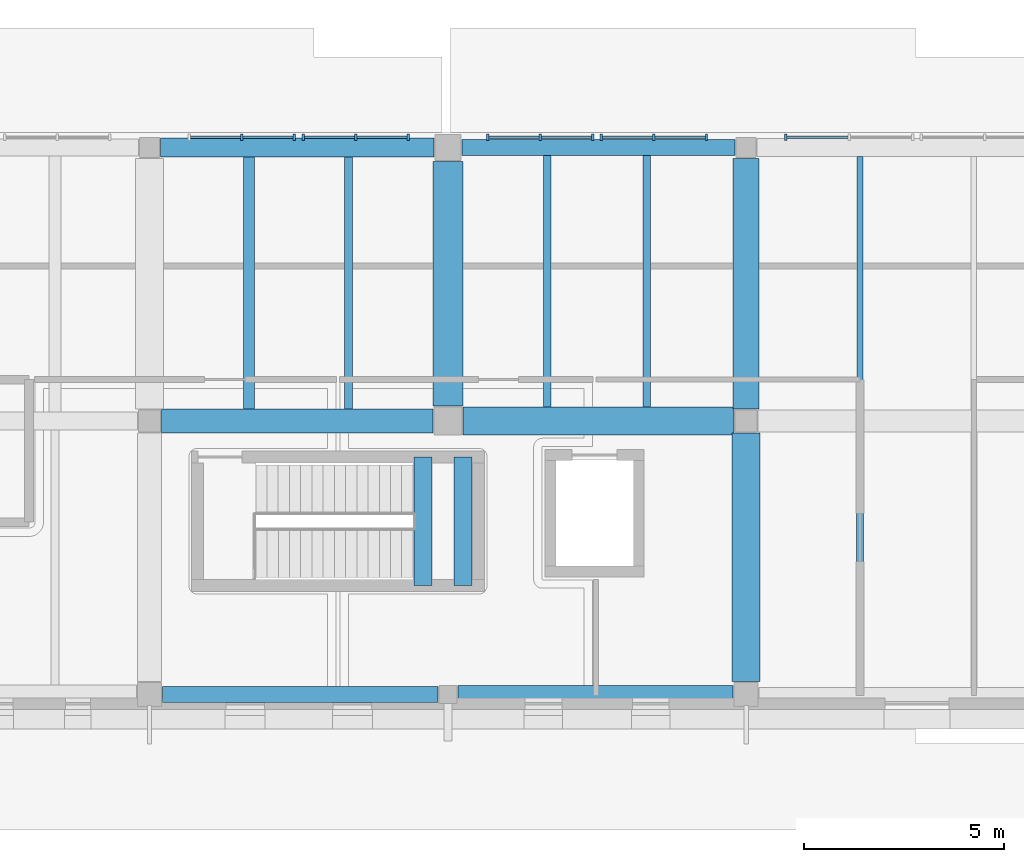
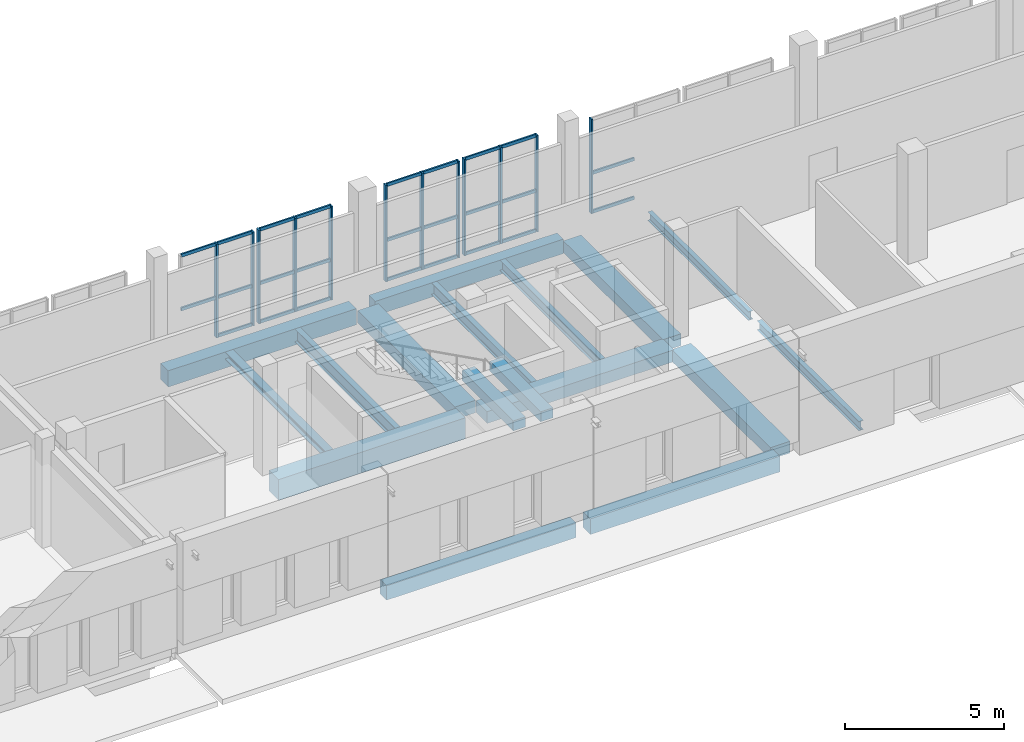
# One storey, part 17 of 77: 37 members, 17 beams, 5 elements without a shape of their own.
"""IFC4 building model written with IfcOpenShell, lengths in metres."""

from ifc_helpers import new_model, si_unit, direction, frame, origin, origin_2d, place, context, subcontext, project, spatial, rectangle, i_section, extrude, material, layer, layer_set, material_profile, profile_set, type_object, element, aggregate, save


model = new_model("IFC4")

# Units and contexts
model_context = context("Model", 3, precision=1e-05, world=origin(), true_north=direction((0.0, 1.0)))
body_context = subcontext(model_context, "Body", "Model", "MODEL_VIEW")
ifc_project = project(units=[si_unit("LENGTHUNIT", "METRE"), si_unit("AREAUNIT", "SQUARE_METRE"), si_unit("VOLUMEUNIT", "CUBIC_METRE"), si_unit("PLANEANGLEUNIT", "RADIAN"), si_unit("MASSUNIT", "GRAM", prefix="KILO")], contexts=[model_context])

# Site, building, storey
site_placement = place(None, origin())
site = spatial("IfcSite", under=ifc_project, at=site_placement, CompositionType="ELEMENT")
building_placement = place(site_placement, origin())
building = spatial("IfcBuilding", under=site, at=building_placement, Name="Vardoun Plaza Health Centre", CompositionType="ELEMENT")
storey_placement = place(building_placement, origin())
storey = spatial("IfcBuildingStorey", under=building, at=storey_placement, Name="L00", CompositionType="ELEMENT", Elevation=0.0)

# Beams
ifc_material_1 = material(Name="Concrete C35/45", Category="concrete")
ifc_material_profile_1 = material_profile(ifc_material_1, rectangle(XDim=0.39990234375, YDim=0.550048828125, at=origin_2d()), Name="RC-BM 400x550")
ifc_profile_set_1 = profile_set([ifc_material_profile_1], Name="Concrete C35/45")
beam_type_1 = type_object("IfcBeamType", Name="B-09", PredefinedType="SPANDREL", material=ifc_profile_set_1)
beam_1_placement = place(storey_placement, frame((113.425048828125, 4.8798828125, -0.570068359375), z_axis=(1.0, 0.0, 0.0), x_axis=(0.0, 1.0, 0.0)))
element("IfcBeam", 1, at=beam_1_placement, inside=storey, type_object=beam_type_1, Name="V5 L00 Beam B-V5-L00-X04", PredefinedType="SPANDREL", context=body_context, shape_type="SweptSolid", body=[
    extrude(rectangle(XDim=0.39990234375, YDim=0.550048828125, at=origin_2d()), origin(), (0.0, 0.0, 1.0), 6.864990234375),
])
beam_2_placement = place(storey_placement, frame((120.889892578125, 18.52001953125, -0.570068359375), z_axis=(1.0, 0.0, 0.0), x_axis=(0.0, 1.0, 0.0)))
element("IfcBeam", 2, at=beam_2_placement, inside=storey, type_object=beam_type_1, Name="V5 L00 Beam B-V5-L00-X09", PredefinedType="SPANDREL", context=body_context, shape_type="SweptSolid", body=[
    extrude(rectangle(XDim=0.39990234375, YDim=0.550048828125, at=origin_2d()), origin(), (0.0, 0.0, 1.0), 6.815185546875),
])
ifc_material_2 = material(Name="Concrete C35/45", Category="concrete")
ifc_material_profile_2 = material_profile(ifc_material_2, rectangle(XDim=0.449951171875, YDim=0.3798828125, at=origin_2d()), Name="RC-BM 450x380")
ifc_profile_set_2 = profile_set([ifc_material_profile_2], Name="Concrete C35/45")
beam_type_2 = type_object("IfcBeamType", Name="B-01", PredefinedType="BEAM", material=ifc_profile_set_2)
for number, where, z_axis, x_axis, name in (
    (3, (119.919921875, 7.60009765625, 1.860107421875), (0.0, 1.0, 0.0), (-1.0, 0.0, 0.0), "Stair ST-C8-L00 Landing Beam 1"),
    (4, (120.919921875, 7.60009765625, 1.860107421875), (0.0, 1.0, 0.0), (-1.0, 0.0, 0.0), "Stair ST-C8-L00 Landing Beam 2"),
):
    element("IfcBeam", number, at=place(storey_placement, frame(where, z_axis=z_axis, x_axis=x_axis)), inside=storey, type_object=beam_type_2, Name=name, PredefinedType="BEAM", context=body_context, shape_type="SweptSolid", body=[
        extrude(rectangle(XDim=0.449951171875, YDim=0.3798828125, at=origin_2d()), origin(), (0.0, 0.0, 1.0), 3.199951171875),
    ])
ifc_material_3 = material(Name="Concrete C35/45", Category="concrete")
ifc_material_profile_3 = material_profile(ifc_material_3, rectangle(XDim=0.449951171875, YDim=0.60009765625, at=origin_2d()), Name="RC-BM 450x600")
ifc_profile_set_3 = profile_set([ifc_material_profile_3], Name="Concrete C35/45")
beam_type_3 = type_object("IfcBeamType", Name="B-11", PredefinedType="SPANDREL", material=ifc_profile_set_3)
beam_3_placement = place(storey_placement, frame((120.7900390625, 4.8798828125, -0.594970703125), z_axis=(1.0, 0.0, 0.0), x_axis=(0.0, 1.0, 0.0)))
element("IfcBeam", 5, at=beam_3_placement, inside=storey, type_object=beam_type_3, Name="V5 L00 Beam B-V5-L00-X07", PredefinedType="SPANDREL", context=body_context, shape_type="SweptSolid", body=[
    extrude(rectangle(XDim=0.449951171875, YDim=0.60009765625, at=origin_2d()), origin(), (0.0, 0.0, 1.0), 6.864990234375),
])
ifc_material_4 = material(Name="Concrete C35/45", Category="concrete")
ifc_material_profile_4 = material_profile(ifc_material_4, rectangle(XDim=0.47998046875, YDim=0.6201171875, at=origin_2d()), Name="RC-BM 480x620")
ifc_profile_set_4 = profile_set([ifc_material_profile_4], Name="Concrete C35/45")
beam_type_4 = type_object("IfcBeamType", Name="B-12", PredefinedType="SPANDREL", material=ifc_profile_set_4)
beam_4_placement = place(storey_placement, frame((113.375, 18.52001953125, -0.60498046875), z_axis=(1.0, 0.0, 0.0), x_axis=(0.0, 1.0, 0.0)))
element("IfcBeam", 6, at=beam_4_placement, inside=storey, type_object=beam_type_4, Name="V5 L00 Beam B-V5-L00-X06", PredefinedType="SPANDREL", context=body_context, shape_type="SweptSolid", body=[
    extrude(rectangle(XDim=0.47998046875, YDim=0.6201171875, at=origin_2d()), origin(), (0.0, 0.0, 1.0), 6.815185546875),
])
ifc_material_5 = material(Name="Concrete C40/50", Category="concrete")
ifc_material_profile_5 = material_profile(ifc_material_5, rectangle(XDim=0.60009765625, YDim=0.800048828125, at=origin_2d()), Name="RC-BM 600x800")
ifc_profile_set_5 = profile_set([ifc_material_profile_5], Name="Concrete C40/50")
beam_type_5 = type_object("IfcBeamType", Name="B-15", PredefinedType="JOIST", material=ifc_profile_set_5)
beam_5_placement = place(storey_placement, frame((113.400146484375, 11.699951171875, -0.695068359375), z_axis=(1.0, 0.0, 0.0), x_axis=(0.0, 1.0, 0.0)))
element("IfcBeam", 7, at=beam_5_placement, inside=storey, type_object=beam_type_5, Name="V5 L00 Beam B-V5-L00-X05", PredefinedType="JOIST", context=body_context, shape_type="SweptSolid", body=[
    extrude(rectangle(XDim=0.60009765625, YDim=0.800048828125, at=origin_2d()), origin(), (0.0, 0.0, 1.0), 6.764892578125),
])
ifc_material_6 = material(Name="Concrete C35/45", Category="concrete")
ifc_material_profile_6 = material_profile(ifc_material_6, rectangle(XDim=0.64990234375, YDim=0.449951171875, at=origin_2d()), Name="RC-BM 650x450")
ifc_profile_set_6 = profile_set([ifc_material_profile_6], Name="Concrete C35/45")
beam_type_6 = type_object("IfcBeamType", Name="B-05", PredefinedType="BEAM", material=ifc_profile_set_6)
beam_6_placement = place(storey_placement, frame((127.97998046875, 12.0, -0.52001953125), z_axis=(0.0, 1.0, 0.0), x_axis=(-1.0, 0.0, 0.0)))
element("IfcBeam", 8, at=beam_6_placement, inside=storey, type_object=beam_type_6, Name="V5 L00 Beam B-V5-L00-Y31", PredefinedType="BEAM", context=body_context, shape_type="SweptSolid", body=[
    extrude(rectangle(XDim=0.64990234375, YDim=0.449951171875, at=origin_2d()), origin(), (0.0, 0.0, 1.0), 6.2451171875),
])
ifc_material_7 = material(Name="Concrete C35/45", Category="concrete")
ifc_material_profile_7 = material_profile(ifc_material_7, rectangle(XDim=0.699951171875, YDim=0.449951171875, at=origin_2d()), Name="RC-BM 700x450")
ifc_profile_set_7 = profile_set([ifc_material_profile_7], Name="Concrete C35/45")
beam_type_7 = type_object("IfcBeamType", Name="B-06", PredefinedType="BEAM", material=ifc_profile_set_7)
beam_7_placement = place(storey_placement, frame((120.9150390625, 11.699951171875, -0.52001953125), z_axis=(1.0, 0.0, 0.0), x_axis=(0.0, 1.0, 0.0)))
element("IfcBeam", 9, at=beam_7_placement, inside=storey, type_object=beam_type_7, Name="V5 L00 Beam B-V5-L00-X08", PredefinedType="BEAM", context=body_context, shape_type="SweptSolid", body=[
    extrude(rectangle(XDim=0.699951171875, YDim=0.449951171875, at=origin_2d()), origin(), (0.0, 0.0, 1.0), 6.764892578125),
])
beam_8_placement = place(storey_placement, frame((127.97998046875, 5.205078125, -0.52099609375), z_axis=(0.0, 1.0, 0.0), x_axis=(-1.0, 0.0, 0.0)))
element("IfcBeam", 10, at=beam_8_placement, inside=storey, type_object=beam_type_7, Name="V5 L00 Beam B-V5-L00-Y30", PredefinedType="BEAM", context=body_context, shape_type="SweptSolid", body=[
    extrude(rectangle(XDim=0.699951171875, YDim=0.449951171875, at=origin_2d()), origin(), (0.0, 0.0, 1.0), 6.19482421875),
])
ifc_material_8 = material(Name="Concrete C35/45", Category="concrete")
ifc_material_profile_8 = material_profile(ifc_material_8, rectangle(XDim=0.75, YDim=0.47998046875, at=origin_2d()), Name="RC-BM 750x480")
ifc_profile_set_8 = profile_set([ifc_material_profile_8], Name="Concrete C35/45")
beam_type_8 = type_object("IfcBeamType", Name="B-07", PredefinedType="BEAM", material=ifc_profile_set_8)
beam_9_placement = place(storey_placement, frame((120.5400390625, 12.074951171875, -0.534912109375), z_axis=(0.0, 1.0, 0.0), x_axis=(-1.0, 0.0, 0.0)))
element("IfcBeam", 11, at=beam_9_placement, inside=storey, type_object=beam_type_8, Name="V5 L00 Beam B-V5-L00-Y29", PredefinedType="BEAM", context=body_context, shape_type="SweptSolid", body=[
    extrude(rectangle(XDim=0.75, YDim=0.47998046875, at=origin_2d()), origin(), (0.0, 0.0, 1.0), 6.094970703125),
])
ifc_material_9 = material(Name="Steel S355J2", Category="steel")
ifc_material_profile_9 = material_profile(ifc_material_9, i_section(OverallWidth=0.280029296875, OverallDepth=0.280029296875, WebThickness=0.010498046875, FlangeThickness=0.01806640625, FilletRadius=0.02392578125, at=origin_2d()), Name="HEB 280")
ifc_profile_set_9 = profile_set([ifc_material_profile_9], Name="Steel S355J2")
beam_type_9 = type_object("IfcBeamType", Name="SB-02", PredefinedType="BEAM", material=ifc_profile_set_9)
beam_10_placement = place(storey_placement, frame((115.579833984375, 12.0, -0.43505859375), z_axis=(0.0, 1.0, 0.0), x_axis=(-1.0, 0.0, 0.0)))
element("IfcBeam", 12, at=beam_10_placement, inside=storey, type_object=beam_type_9, Name="V5 L00 Secondary Floor Beam SJ-V5-L00-05", PredefinedType="BEAM", context=body_context, shape_type="SweptSolid", body=[
    extrude(i_section(OverallWidth=0.280029296875, OverallDepth=0.280029296875, WebThickness=0.010498046875, FlangeThickness=0.01806640625, FilletRadius=0.02392578125, at=origin_2d()), origin(), (0.0, 0.0, 1.0), 6.280029296875),
])
ifc_material_10 = material(Name="Steel S355J2", Category="steel")
ifc_material_profile_10 = material_profile(ifc_material_10, i_section(OverallWidth=0.159912109375, OverallDepth=0.330078125, WebThickness=0.007568359375, FlangeThickness=0.011474609375, FilletRadius=0.01806640625, at=origin_2d()), Name="IPE 330")
ifc_profile_set_10 = profile_set([ifc_material_profile_10], Name="Steel S355J2")
beam_type_10 = type_object("IfcBeamType", Name="SB-14", PredefinedType="JOIST", material=ifc_profile_set_10)
beam_11_placement = place(storey_placement, frame((130.819580078125, 11.97509765625, -0.4599609375), z_axis=(0.0, 1.0, 0.0), x_axis=(-1.0, 0.0, 0.0)))
element("IfcBeam", 13, at=beam_11_placement, inside=storey, type_object=beam_type_10, Name="V5 L00 Secondary Floor Beam SJ-V5-L00-10", PredefinedType="JOIST", context=body_context, shape_type="SweptSolid", body=[
    extrude(i_section(OverallWidth=0.159912109375, OverallDepth=0.330078125, WebThickness=0.007568359375, FlangeThickness=0.011474609375, FilletRadius=0.01806640625, at=origin_2d()), origin(), (0.0, 0.0, 1.0), 6.31982421875),
])
ifc_material_11 = material(Name="Steel S355J2", Category="steel")
ifc_material_profile_11 = material_profile(ifc_material_11, i_section(OverallWidth=0.169921875, OverallDepth=0.360107421875, WebThickness=0.008056640625, FlangeThickness=0.0126953125, FilletRadius=0.01806640625, at=origin_2d()), Name="IPE 360")
ifc_profile_set_11 = profile_set([ifc_material_profile_11], Name="Steel S355J2")
beam_type_11 = type_object("IfcBeamType", Name="SB-13", PredefinedType="JOIST", material=ifc_profile_set_11)
beam_12_placement = place(storey_placement, frame((130.819580078125, 5.054931640625, -0.47509765625), z_axis=(0.0, 1.0, 0.0), x_axis=(-1.0, 0.0, 0.0)))
element("IfcBeam", 14, at=beam_12_placement, inside=storey, type_object=beam_type_11, Name="V5 L00 Secondary Floor Beam SJ-V5-L00-09", PredefinedType="JOIST", context=body_context, shape_type="SweptSolid", body=[
    extrude(i_section(OverallWidth=0.169921875, OverallDepth=0.360107421875, WebThickness=0.008056640625, FlangeThickness=0.0126953125, FilletRadius=0.01806640625, at=origin_2d()), origin(), (0.0, 0.0, 1.0), 6.3701171875),
])
ifc_material_12 = material(Name="Steel S355J2", Category="steel")
ifc_material_profile_12 = material_profile(ifc_material_12, i_section(OverallWidth=0.179931640625, OverallDepth=0.39990234375, WebThickness=0.008544921875, FlangeThickness=0.013427734375, FilletRadius=0.02099609375, at=origin_2d()), Name="IPE 400")
ifc_profile_set_12 = profile_set([ifc_material_profile_12], Name="Steel S355J2")
beam_type_12 = type_object("IfcBeamType", Name="SB-12", PredefinedType="BEAM", material=ifc_profile_set_12)
beam_13_placement = place(storey_placement, frame((125.500244140625, 12.050048828125, -0.4951171875), z_axis=(0.0, 1.0, 0.0), x_axis=(-1.0, 0.0, 0.0)))
element("IfcBeam", 15, at=beam_13_placement, inside=storey, type_object=beam_type_12, Name="V5 L00 Secondary Floor Beam SJ-V5-L00-08", PredefinedType="BEAM", context=body_context, shape_type="SweptSolid", body=[
    extrude(i_section(OverallWidth=0.179931640625, OverallDepth=0.39990234375, WebThickness=0.008544921875, FlangeThickness=0.013427734375, FilletRadius=0.02099609375, at=origin_2d()), origin(), (0.0, 0.0, 1.0), 6.27001953125),
])
ifc_material_13 = material(Name="Steel S355J2", Category="steel")
ifc_material_profile_13 = material_profile(ifc_material_13, i_section(OverallWidth=0.18994140625, OverallDepth=0.449951171875, WebThickness=0.009521484375, FlangeThickness=0.0146484375, FilletRadius=0.02099609375, at=origin_2d()), Name="IPE 450")
ifc_profile_set_13 = profile_set([ifc_material_profile_13], Name="Steel S355J2")
beam_type_13 = type_object("IfcBeamType", Name="SB-11", PredefinedType="BEAM", material=ifc_profile_set_13)
beam_14_placement = place(storey_placement, frame((123.019775390625, 12.050048828125, -0.52001953125), z_axis=(0.0, 1.0, 0.0), x_axis=(-1.0, 0.0, 0.0)))
element("IfcBeam", 16, at=beam_14_placement, inside=storey, type_object=beam_type_13, Name="V5 L00 Secondary Floor Beam SJ-V5-L00-07", PredefinedType="BEAM", context=body_context, shape_type="SweptSolid", body=[
    extrude(i_section(OverallWidth=0.18994140625, OverallDepth=0.449951171875, WebThickness=0.009521484375, FlangeThickness=0.0146484375, FilletRadius=0.02099609375, at=origin_2d()), origin(), (0.0, 0.0, 1.0), 6.27001953125),
])
ifc_material_14 = material(Name="Steel S355J2", Category="steel")
ifc_material_profile_14 = material_profile(ifc_material_14, i_section(OverallWidth=0.199951171875, OverallDepth=0.5, WebThickness=0.01025390625, FlangeThickness=0.01611328125, FilletRadius=0.02099609375, at=origin_2d()), Name="IPE 500")
ifc_profile_set_14 = profile_set([ifc_material_profile_14], Name="Steel S355J2")
beam_type_14 = type_object("IfcBeamType", Name="SB-10", PredefinedType="BEAM", material=ifc_profile_set_14)
beam_15_placement = place(storey_placement, frame((118.060302734375, 12.0, -0.544921875), z_axis=(0.0, 1.0, 0.0), x_axis=(-1.0, 0.0, 0.0)))
element("IfcBeam", 17, at=beam_15_placement, inside=storey, type_object=beam_type_14, Name="V5 L00 Secondary Floor Beam SJ-V5-L00-06", PredefinedType="BEAM", context=body_context, shape_type="SweptSolid", body=[
    extrude(i_section(OverallWidth=0.199951171875, OverallDepth=0.5, WebThickness=0.01025390625, FlangeThickness=0.01611328125, FilletRadius=0.02099609375, at=origin_2d()), origin(), (0.0, 0.0, 1.0), 6.280029296875),
])

# Curtain wall, members
ifc_material_15 = material(Name="Aluminium Alloy EN AW-6063-T6 and Low-E Glass", Category="aluminium")
ifc_layer = layer(ifc_material_15, 0.14990234375)
ifc_layer_set = layer_set([ifc_layer], Name="Aluminium Alloy EN AW-6063-T6 and Low-E Glass")
curtain_wall_type = type_object("IfcCurtainWallType", Name="CW-03", PredefinedType="NOTDEFINED", material=ifc_layer_set)
curtain_wall_1_placement = place(storey_placement, origin())
curtain_wall_1 = element("IfcCurtainWall", 18, at=curtain_wall_1_placement, inside=storey, type_object=curtain_wall_type, Name="Curtain Wall CW-V5-135", PredefinedType="NOTDEFINED")
ifc_material_16 = material(Name="Aluminium Alloy EN AW-6063-T6", Category="aluminium")
ifc_material_profile_15 = material_profile(ifc_material_16, rectangle(XDim=0.159912109375, YDim=0.06005859375, at=origin_2d()), Name="CWM 60x160")
ifc_profile_set_15 = profile_set([ifc_material_profile_15], Name="Aluminium Alloy EN AW-6063-T6")
member_type_1 = type_object("IfcMemberType", Name="CW-M1", PredefinedType="MULLION", material=ifc_profile_set_15)
member_1_placement = place(storey_placement, frame((115.400146484375, 18.780029296875, 0.0), z_axis=(0.0, 0.0, 1.0), x_axis=(0.0, 1.0, 0.0)))
member_1 = element("IfcMember", 19, at=member_1_placement, type_object=member_type_1, Name="CW-V5-135 mullion 2", PredefinedType="MULLION", context=body_context, shape_type="SweptSolid", body=[
    extrude(rectangle(XDim=0.159912109375, YDim=0.06005859375, at=origin_2d()), origin(), (0.0, 0.0, 1.0), 3.590087890625),
])
member_2_placement = place(storey_placement, frame((116.7099609375, 18.780029296875, 0.0), z_axis=(0.0, 0.0, 1.0), x_axis=(0.0, 1.0, 0.0)))
member_2 = element("IfcMember", 20, at=member_2_placement, type_object=member_type_1, Name="CW-V5-135 mullion 3", PredefinedType="MULLION", context=body_context, shape_type="SweptSolid", body=[
    extrude(rectangle(XDim=0.159912109375, YDim=0.06005859375, at=origin_2d()), origin(), (0.0, 0.0, 1.0), 3.590087890625),
])

curtain_wall_2_placement = place(storey_placement, origin())
curtain_wall_2 = element("IfcCurtainWall", 21, at=curtain_wall_2_placement, inside=storey, type_object=curtain_wall_type, Name="Curtain Wall CW-V5-136", PredefinedType="NOTDEFINED")
member_3_placement = place(storey_placement, frame((116.929931640625, 18.780029296875, 0.0), z_axis=(0.0, 0.0, 1.0), x_axis=(0.0, 1.0, 0.0)))
member_3 = element("IfcMember", 22, at=member_3_placement, type_object=member_type_1, Name="CW-V5-136 mullion 1", PredefinedType="MULLION", context=body_context, shape_type="SweptSolid", body=[
    extrude(rectangle(XDim=0.159912109375, YDim=0.06005859375, at=origin_2d()), origin(), (0.0, 0.0, 1.0), 3.590087890625),
])
member_4_placement = place(storey_placement, frame((118.239990234375, 18.780029296875, 0.0), z_axis=(0.0, 0.0, 1.0), x_axis=(0.0, 1.0, 0.0)))
member_4 = element("IfcMember", 23, at=member_4_placement, type_object=member_type_1, Name="CW-V5-136 mullion 2", PredefinedType="MULLION", context=body_context, shape_type="SweptSolid", body=[
    extrude(rectangle(XDim=0.159912109375, YDim=0.06005859375, at=origin_2d()), origin(), (0.0, 0.0, 1.0), 3.590087890625),
])
member_5_placement = place(storey_placement, frame((119.550048828125, 18.780029296875, 0.0), z_axis=(0.0, 0.0, 1.0), x_axis=(0.0, 1.0, 0.0)))
member_5 = element("IfcMember", 24, at=member_5_placement, type_object=member_type_1, Name="CW-V5-136 mullion 3", PredefinedType="MULLION", context=body_context, shape_type="SweptSolid", body=[
    extrude(rectangle(XDim=0.159912109375, YDim=0.06005859375, at=origin_2d()), origin(), (0.0, 0.0, 1.0), 3.590087890625),
])

curtain_wall_3_placement = place(storey_placement, origin())
curtain_wall_3 = element("IfcCurtainWall", 25, at=curtain_wall_3_placement, inside=storey, type_object=curtain_wall_type, Name="Curtain Wall CW-V5-137", PredefinedType="NOTDEFINED")
member_6_placement = place(storey_placement, frame((121.530029296875, 18.780029296875, 0.0), z_axis=(0.0, 0.0, 1.0), x_axis=(0.0, 1.0, 0.0)))
member_6 = element("IfcMember", 26, at=member_6_placement, type_object=member_type_1, Name="CW-V5-137 mullion 1", PredefinedType="MULLION", context=body_context, shape_type="SweptSolid", body=[
    extrude(rectangle(XDim=0.159912109375, YDim=0.06005859375, at=origin_2d()), origin(), (0.0, 0.0, 1.0), 3.68994140625),
])
member_7_placement = place(storey_placement, frame((122.840087890625, 18.780029296875, 0.0), z_axis=(0.0, 0.0, 1.0), x_axis=(0.0, 1.0, 0.0)))
member_7 = element("IfcMember", 27, at=member_7_placement, type_object=member_type_1, Name="CW-V5-137 mullion 2", PredefinedType="MULLION", context=body_context, shape_type="SweptSolid", body=[
    extrude(rectangle(XDim=0.159912109375, YDim=0.06005859375, at=origin_2d()), origin(), (0.0, 0.0, 1.0), 3.68994140625),
])
member_8_placement = place(storey_placement, frame((124.150146484375, 18.780029296875, 0.0), z_axis=(0.0, 0.0, 1.0), x_axis=(0.0, 1.0, 0.0)))
member_8 = element("IfcMember", 28, at=member_8_placement, type_object=member_type_1, Name="CW-V5-137 mullion 3", PredefinedType="MULLION", context=body_context, shape_type="SweptSolid", body=[
    extrude(rectangle(XDim=0.159912109375, YDim=0.06005859375, at=origin_2d()), origin(), (0.0, 0.0, 1.0), 3.68994140625),
])

curtain_wall_4_placement = place(storey_placement, origin())
curtain_wall_4 = element("IfcCurtainWall", 29, at=curtain_wall_4_placement, inside=storey, type_object=curtain_wall_type, Name="Curtain Wall CW-V5-138", PredefinedType="NOTDEFINED")
member_9_placement = place(storey_placement, frame((124.3701171875, 18.780029296875, 0.0), z_axis=(0.0, 0.0, 1.0), x_axis=(0.0, 1.0, 0.0)))
member_9 = element("IfcMember", 30, at=member_9_placement, type_object=member_type_1, Name="CW-V5-138 mullion 1", PredefinedType="MULLION", context=body_context, shape_type="SweptSolid", body=[
    extrude(rectangle(XDim=0.159912109375, YDim=0.06005859375, at=origin_2d()), origin(), (0.0, 0.0, 1.0), 3.68994140625),
])
member_10_placement = place(storey_placement, frame((125.679931640625, 18.780029296875, 0.0), z_axis=(0.0, 0.0, 1.0), x_axis=(0.0, 1.0, 0.0)))
member_10 = element("IfcMember", 31, at=member_10_placement, type_object=member_type_1, Name="CW-V5-138 mullion 2", PredefinedType="MULLION", context=body_context, shape_type="SweptSolid", body=[
    extrude(rectangle(XDim=0.159912109375, YDim=0.06005859375, at=origin_2d()), origin(), (0.0, 0.0, 1.0), 3.68994140625),
])
member_11_placement = place(storey_placement, frame((126.989990234375, 18.780029296875, 0.0), z_axis=(0.0, 0.0, 1.0), x_axis=(0.0, 1.0, 0.0)))
member_11 = element("IfcMember", 32, at=member_11_placement, type_object=member_type_1, Name="CW-V5-138 mullion 3", PredefinedType="MULLION", context=body_context, shape_type="SweptSolid", body=[
    extrude(rectangle(XDim=0.159912109375, YDim=0.06005859375, at=origin_2d()), origin(), (0.0, 0.0, 1.0), 3.68994140625),
])

# Curtain wall, member
curtain_wall_5_placement = place(storey_placement, origin())
curtain_wall_5 = element("IfcCurtainWall", 33, at=curtain_wall_5_placement, inside=storey, type_object=curtain_wall_type, Name="Curtain Wall CW-V5-139", PredefinedType="NOTDEFINED")
member_12_placement = place(storey_placement, frame((128.969970703125, 18.780029296875, 0.0), z_axis=(0.0, 0.0, 1.0), x_axis=(0.0, 1.0, 0.0)))
member_12 = element("IfcMember", 34, at=member_12_placement, type_object=member_type_1, Name="CW-V5-139 mullion 1", PredefinedType="MULLION", context=body_context, shape_type="SweptSolid", body=[
    extrude(rectangle(XDim=0.159912109375, YDim=0.06005859375, at=origin_2d()), origin(), (0.0, 0.0, 1.0), 3.610107421875),
])

# Member
ifc_material_17 = material(Name="Aluminium Alloy EN AW-6063-T6", Category="aluminium")
ifc_material_profile_16 = material_profile(ifc_material_17, rectangle(XDim=0.06005859375, YDim=0.1201171875, at=origin_2d()), Name="CWT 60x120")
ifc_profile_set_16 = profile_set([ifc_material_profile_16], Name="Aluminium Alloy EN AW-6063-T6")
member_type_2 = type_object("IfcMemberType", Name="CW-T1", PredefinedType="USERDEFINED", material=ifc_profile_set_16)
member_13_placement = place(storey_placement, frame((114.1201171875, 18.780029296875, 1.5078125), z_axis=(1.0, 0.0, 0.0), x_axis=(0.0, 1.0, 0.0)))
member_13 = element("IfcMember", 35, at=member_13_placement, type_object=member_type_2, Name="CW-V5-135 transom 1.2", ObjectType="TRANSOM", PredefinedType="USERDEFINED", context=body_context, shape_type="SweptSolid", body=[
    extrude(rectangle(XDim=0.06005859375, YDim=0.1201171875, at=origin_2d()), origin(), (0.0, 0.0, 1.0), 1.25),
])

member_14_placement = place(storey_placement, frame((114.1201171875, 18.780029296875, 3.56005859375), z_axis=(1.0, 0.0, 0.0), x_axis=(0.0, 1.0, 0.0)))
member_14 = element("IfcMember", 36, at=member_14_placement, type_object=member_type_2, Name="CW-V5-135 transom 1.3", ObjectType="TRANSOM", PredefinedType="USERDEFINED", context=body_context, shape_type="SweptSolid", body=[
    extrude(rectangle(XDim=0.06005859375, YDim=0.1201171875, at=origin_2d()), origin(), (0.0, 0.0, 1.0), 1.25),
])

member_15_placement = place(storey_placement, frame((115.429931640625, 18.780029296875, 0.030029296875), z_axis=(1.0, 0.0, 0.0), x_axis=(0.0, 1.0, 0.0)))
member_15 = element("IfcMember", 37, at=member_15_placement, type_object=member_type_2, Name="CW-V5-135 transom 2.1", ObjectType="TRANSOM", PredefinedType="USERDEFINED", context=body_context, shape_type="SweptSolid", body=[
    extrude(rectangle(XDim=0.06005859375, YDim=0.1201171875, at=origin_2d()), origin(), (0.0, 0.0, 1.0), 1.25),
])

member_16_placement = place(storey_placement, frame((115.429931640625, 18.780029296875, 1.5078125), z_axis=(1.0, 0.0, 0.0), x_axis=(0.0, 1.0, 0.0)))
member_16 = element("IfcMember", 38, at=member_16_placement, type_object=member_type_2, Name="CW-V5-135 transom 2.2", ObjectType="TRANSOM", PredefinedType="USERDEFINED", context=body_context, shape_type="SweptSolid", body=[
    extrude(rectangle(XDim=0.06005859375, YDim=0.1201171875, at=origin_2d()), origin(), (0.0, 0.0, 1.0), 1.25),
])

member_17_placement = place(storey_placement, frame((115.429931640625, 18.780029296875, 3.56005859375), z_axis=(1.0, 0.0, 0.0), x_axis=(0.0, 1.0, 0.0)))
member_17 = element("IfcMember", 39, at=member_17_placement, type_object=member_type_2, Name="CW-V5-135 transom 2.3", ObjectType="TRANSOM", PredefinedType="USERDEFINED", context=body_context, shape_type="SweptSolid", body=[
    extrude(rectangle(XDim=0.06005859375, YDim=0.1201171875, at=origin_2d()), origin(), (0.0, 0.0, 1.0), 1.25),
])

aggregate(curtain_wall_1, [member_1, member_2, member_13, member_14, member_15, member_16, member_17])

member_18_placement = place(storey_placement, frame((116.9599609375, 18.780029296875, 0.030029296875), z_axis=(1.0, 0.0, 0.0), x_axis=(0.0, 1.0, 0.0)))
member_18 = element("IfcMember", 40, at=member_18_placement, type_object=member_type_2, Name="CW-V5-136 transom 1.1", ObjectType="TRANSOM", PredefinedType="USERDEFINED", context=body_context, shape_type="SweptSolid", body=[
    extrude(rectangle(XDim=0.06005859375, YDim=0.1201171875, at=origin_2d()), origin(), (0.0, 0.0, 1.0), 1.25),
])

member_19_placement = place(storey_placement, frame((116.9599609375, 18.780029296875, 1.5078125), z_axis=(1.0, 0.0, 0.0), x_axis=(0.0, 1.0, 0.0)))
member_19 = element("IfcMember", 41, at=member_19_placement, type_object=member_type_2, Name="CW-V5-136 transom 1.2", ObjectType="TRANSOM", PredefinedType="USERDEFINED", context=body_context, shape_type="SweptSolid", body=[
    extrude(rectangle(XDim=0.06005859375, YDim=0.1201171875, at=origin_2d()), origin(), (0.0, 0.0, 1.0), 1.25),
])

member_20_placement = place(storey_placement, frame((116.9599609375, 18.780029296875, 3.56005859375), z_axis=(1.0, 0.0, 0.0), x_axis=(0.0, 1.0, 0.0)))
member_20 = element("IfcMember", 42, at=member_20_placement, type_object=member_type_2, Name="CW-V5-136 transom 1.3", ObjectType="TRANSOM", PredefinedType="USERDEFINED", context=body_context, shape_type="SweptSolid", body=[
    extrude(rectangle(XDim=0.06005859375, YDim=0.1201171875, at=origin_2d()), origin(), (0.0, 0.0, 1.0), 1.25),
])

member_21_placement = place(storey_placement, frame((118.27001953125, 18.780029296875, 0.030029296875), z_axis=(1.0, 0.0, 0.0), x_axis=(0.0, 1.0, 0.0)))
member_21 = element("IfcMember", 43, at=member_21_placement, type_object=member_type_2, Name="CW-V5-136 transom 2.1", ObjectType="TRANSOM", PredefinedType="USERDEFINED", context=body_context, shape_type="SweptSolid", body=[
    extrude(rectangle(XDim=0.06005859375, YDim=0.1201171875, at=origin_2d()), origin(), (0.0, 0.0, 1.0), 1.25),
])

member_22_placement = place(storey_placement, frame((118.27001953125, 18.780029296875, 1.5078125), z_axis=(1.0, 0.0, 0.0), x_axis=(0.0, 1.0, 0.0)))
member_22 = element("IfcMember", 44, at=member_22_placement, type_object=member_type_2, Name="CW-V5-136 transom 2.2", ObjectType="TRANSOM", PredefinedType="USERDEFINED", context=body_context, shape_type="SweptSolid", body=[
    extrude(rectangle(XDim=0.06005859375, YDim=0.1201171875, at=origin_2d()), origin(), (0.0, 0.0, 1.0), 1.25),
])

member_23_placement = place(storey_placement, frame((118.27001953125, 18.780029296875, 3.56005859375), z_axis=(1.0, 0.0, 0.0), x_axis=(0.0, 1.0, 0.0)))
member_23 = element("IfcMember", 45, at=member_23_placement, type_object=member_type_2, Name="CW-V5-136 transom 2.3", ObjectType="TRANSOM", PredefinedType="USERDEFINED", context=body_context, shape_type="SweptSolid", body=[
    extrude(rectangle(XDim=0.06005859375, YDim=0.1201171875, at=origin_2d()), origin(), (0.0, 0.0, 1.0), 1.25),
])

aggregate(curtain_wall_2, [member_3, member_4, member_5, member_18, member_19, member_20, member_21, member_22, member_23])

member_24_placement = place(storey_placement, frame((121.56005859375, 18.780029296875, 0.030029296875), z_axis=(1.0, 0.0, 0.0), x_axis=(0.0, 1.0, 0.0)))
member_24 = element("IfcMember", 46, at=member_24_placement, type_object=member_type_2, Name="CW-V5-137 transom 1.1", ObjectType="TRANSOM", PredefinedType="USERDEFINED", context=body_context, shape_type="SweptSolid", body=[
    extrude(rectangle(XDim=0.06005859375, YDim=0.1201171875, at=origin_2d()), origin(), (0.0, 0.0, 1.0), 1.25),
])

member_25_placement = place(storey_placement, frame((121.56005859375, 18.780029296875, 1.5498046875), z_axis=(1.0, 0.0, 0.0), x_axis=(0.0, 1.0, 0.0)))
member_25 = element("IfcMember", 47, at=member_25_placement, type_object=member_type_2, Name="CW-V5-137 transom 1.2", ObjectType="TRANSOM", PredefinedType="USERDEFINED", context=body_context, shape_type="SweptSolid", body=[
    extrude(rectangle(XDim=0.06005859375, YDim=0.1201171875, at=origin_2d()), origin(), (0.0, 0.0, 1.0), 1.25),
])

member_26_placement = place(storey_placement, frame((121.56005859375, 18.780029296875, 3.659912109375), z_axis=(1.0, 0.0, 0.0), x_axis=(0.0, 1.0, 0.0)))
member_26 = element("IfcMember", 48, at=member_26_placement, type_object=member_type_2, Name="CW-V5-137 transom 1.3", ObjectType="TRANSOM", PredefinedType="USERDEFINED", context=body_context, shape_type="SweptSolid", body=[
    extrude(rectangle(XDim=0.06005859375, YDim=0.1201171875, at=origin_2d()), origin(), (0.0, 0.0, 1.0), 1.25),
])

member_27_placement = place(storey_placement, frame((122.8701171875, 18.780029296875, 0.030029296875), z_axis=(1.0, 0.0, 0.0), x_axis=(0.0, 1.0, 0.0)))
member_27 = element("IfcMember", 49, at=member_27_placement, type_object=member_type_2, Name="CW-V5-137 transom 2.1", ObjectType="TRANSOM", PredefinedType="USERDEFINED", context=body_context, shape_type="SweptSolid", body=[
    extrude(rectangle(XDim=0.06005859375, YDim=0.1201171875, at=origin_2d()), origin(), (0.0, 0.0, 1.0), 1.25),
])

member_28_placement = place(storey_placement, frame((122.8701171875, 18.780029296875, 1.5498046875), z_axis=(1.0, 0.0, 0.0), x_axis=(0.0, 1.0, 0.0)))
member_28 = element("IfcMember", 50, at=member_28_placement, type_object=member_type_2, Name="CW-V5-137 transom 2.2", ObjectType="TRANSOM", PredefinedType="USERDEFINED", context=body_context, shape_type="SweptSolid", body=[
    extrude(rectangle(XDim=0.06005859375, YDim=0.1201171875, at=origin_2d()), origin(), (0.0, 0.0, 1.0), 1.25),
])

member_29_placement = place(storey_placement, frame((122.8701171875, 18.780029296875, 3.659912109375), z_axis=(1.0, 0.0, 0.0), x_axis=(0.0, 1.0, 0.0)))
member_29 = element("IfcMember", 51, at=member_29_placement, type_object=member_type_2, Name="CW-V5-137 transom 2.3", ObjectType="TRANSOM", PredefinedType="USERDEFINED", context=body_context, shape_type="SweptSolid", body=[
    extrude(rectangle(XDim=0.06005859375, YDim=0.1201171875, at=origin_2d()), origin(), (0.0, 0.0, 1.0), 1.25),
])

aggregate(curtain_wall_3, [member_6, member_7, member_8, member_24, member_25, member_26, member_27, member_28, member_29])

member_30_placement = place(storey_placement, frame((124.400146484375, 18.780029296875, 0.030029296875), z_axis=(1.0, 0.0, 0.0), x_axis=(0.0, 1.0, 0.0)))
member_30 = element("IfcMember", 52, at=member_30_placement, type_object=member_type_2, Name="CW-V5-138 transom 1.1", ObjectType="TRANSOM", PredefinedType="USERDEFINED", context=body_context, shape_type="SweptSolid", body=[
    extrude(rectangle(XDim=0.06005859375, YDim=0.1201171875, at=origin_2d()), origin(), (0.0, 0.0, 1.0), 1.25),
])

member_31_placement = place(storey_placement, frame((124.400146484375, 18.780029296875, 1.5498046875), z_axis=(1.0, 0.0, 0.0), x_axis=(0.0, 1.0, 0.0)))
member_31 = element("IfcMember", 53, at=member_31_placement, type_object=member_type_2, Name="CW-V5-138 transom 1.2", ObjectType="TRANSOM", PredefinedType="USERDEFINED", context=body_context, shape_type="SweptSolid", body=[
    extrude(rectangle(XDim=0.06005859375, YDim=0.1201171875, at=origin_2d()), origin(), (0.0, 0.0, 1.0), 1.25),
])

member_32_placement = place(storey_placement, frame((124.400146484375, 18.780029296875, 3.659912109375), z_axis=(1.0, 0.0, 0.0), x_axis=(0.0, 1.0, 0.0)))
member_32 = element("IfcMember", 54, at=member_32_placement, type_object=member_type_2, Name="CW-V5-138 transom 1.3", ObjectType="TRANSOM", PredefinedType="USERDEFINED", context=body_context, shape_type="SweptSolid", body=[
    extrude(rectangle(XDim=0.06005859375, YDim=0.1201171875, at=origin_2d()), origin(), (0.0, 0.0, 1.0), 1.25),
])

member_33_placement = place(storey_placement, frame((125.7099609375, 18.780029296875, 0.030029296875), z_axis=(1.0, 0.0, 0.0), x_axis=(0.0, 1.0, 0.0)))
member_33 = element("IfcMember", 55, at=member_33_placement, type_object=member_type_2, Name="CW-V5-138 transom 2.1", ObjectType="TRANSOM", PredefinedType="USERDEFINED", context=body_context, shape_type="SweptSolid", body=[
    extrude(rectangle(XDim=0.06005859375, YDim=0.1201171875, at=origin_2d()), origin(), (0.0, 0.0, 1.0), 1.25),
])

member_34_placement = place(storey_placement, frame((125.7099609375, 18.780029296875, 1.5498046875), z_axis=(1.0, 0.0, 0.0), x_axis=(0.0, 1.0, 0.0)))
member_34 = element("IfcMember", 56, at=member_34_placement, type_object=member_type_2, Name="CW-V5-138 transom 2.2", ObjectType="TRANSOM", PredefinedType="USERDEFINED", context=body_context, shape_type="SweptSolid", body=[
    extrude(rectangle(XDim=0.06005859375, YDim=0.1201171875, at=origin_2d()), origin(), (0.0, 0.0, 1.0), 1.25),
])

member_35_placement = place(storey_placement, frame((125.7099609375, 18.780029296875, 3.659912109375), z_axis=(1.0, 0.0, 0.0), x_axis=(0.0, 1.0, 0.0)))
member_35 = element("IfcMember", 57, at=member_35_placement, type_object=member_type_2, Name="CW-V5-138 transom 2.3", ObjectType="TRANSOM", PredefinedType="USERDEFINED", context=body_context, shape_type="SweptSolid", body=[
    extrude(rectangle(XDim=0.06005859375, YDim=0.1201171875, at=origin_2d()), origin(), (0.0, 0.0, 1.0), 1.25),
])

aggregate(curtain_wall_4, [member_9, member_10, member_11, member_30, member_31, member_32, member_33, member_34, member_35])

member_36_placement = place(storey_placement, frame((129.0, 18.780029296875, 0.030029296875), z_axis=(1.0, 0.0, 0.0), x_axis=(0.0, 1.0, 0.0)))
member_36 = element("IfcMember", 58, at=member_36_placement, type_object=member_type_2, Name="CW-V5-139 transom 1.1", ObjectType="TRANSOM", PredefinedType="USERDEFINED", context=body_context, shape_type="SweptSolid", body=[
    extrude(rectangle(XDim=0.06005859375, YDim=0.1201171875, at=origin_2d()), origin(), (0.0, 0.0, 1.0), 1.52001953125),
])

member_37_placement = place(storey_placement, frame((129.0, 18.780029296875, 1.51611328125), z_axis=(1.0, 0.0, 0.0), x_axis=(0.0, 1.0, 0.0)))
member_37 = element("IfcMember", 59, at=member_37_placement, type_object=member_type_2, Name="CW-V5-139 transom 1.2", ObjectType="TRANSOM", PredefinedType="USERDEFINED", context=body_context, shape_type="SweptSolid", body=[
    extrude(rectangle(XDim=0.06005859375, YDim=0.1201171875, at=origin_2d()), origin(), (0.0, 0.0, 1.0), 1.52001953125),
])

aggregate(curtain_wall_5, [member_12, member_36, member_37])

save(model, "model.ifc")
